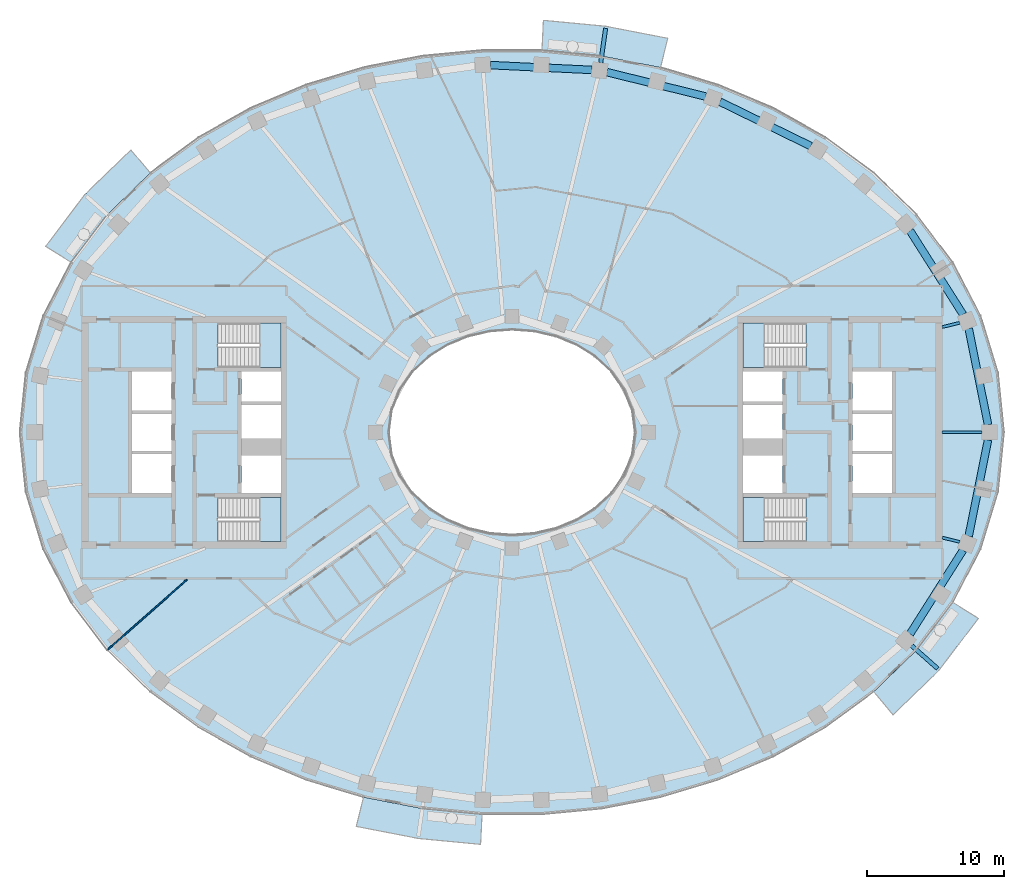
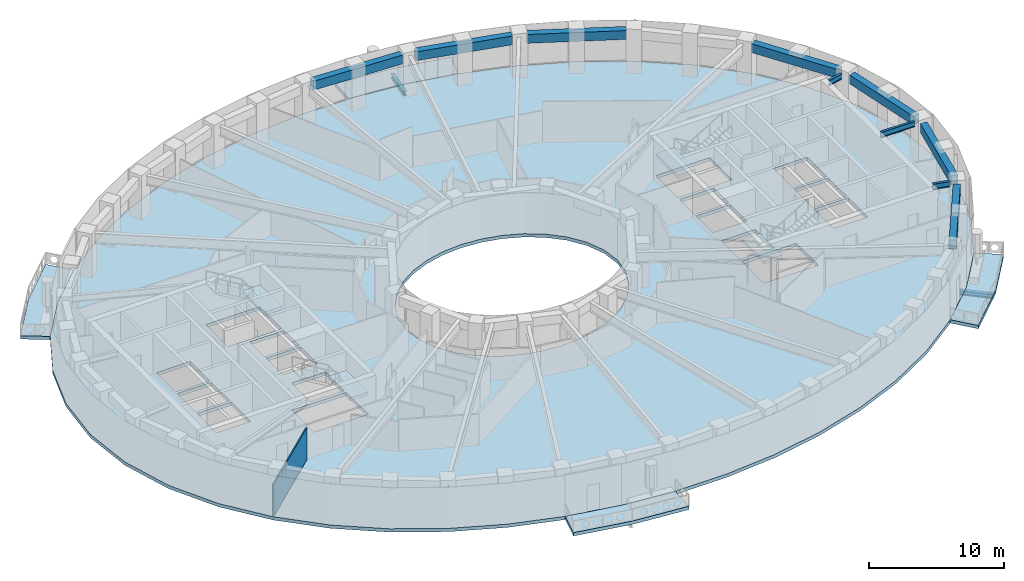
# One storey, part 2 of 16: 12 beams, 9 slabs, 1 wall, 4 elements without a shape of their own.
"""IFC4 building model written with IfcOpenShell, lengths in metres."""

from ifc_helpers import new_model, si_unit, direction, frame, frame_2d, origin, origin_2d, place, context, subcontext, project, spatial, polyline, rectangle, i_section, outline, extrude, material, layer, layer_set, material_profile, profile_set, type_object, element, aggregate, save


model = new_model("IFC4")

# Units and contexts
model_context = context("Model", 3, precision=1e-05, world=origin(), true_north=direction((0.0, 1.0)))
body_context = subcontext(model_context, "Body", "Model", "MODEL_VIEW")
ifc_project = project(units=[si_unit("LENGTHUNIT", "METRE"), si_unit("AREAUNIT", "SQUARE_METRE"), si_unit("VOLUMEUNIT", "CUBIC_METRE"), si_unit("PLANEANGLEUNIT", "RADIAN"), si_unit("MASSUNIT", "GRAM", prefix="KILO")], contexts=[model_context])

# Site, building, storey
site_placement = place(None, origin())
site = spatial("IfcSite", under=ifc_project, at=site_placement, CompositionType="ELEMENT")
building_placement = place(site_placement, origin())
building = spatial("IfcBuilding", under=site, at=building_placement, Name="Noorbagh Ring Tower", CompositionType="ELEMENT")
storey_placement = place(building_placement, frame((0.0, 0.0, 178.0)))
storey = spatial("IfcBuildingStorey", under=building, at=storey_placement, Name="L41", CompositionType="ELEMENT", Elevation=178.0)

# Beams
ifc_material_1 = material(Name="Steel S355", Category="steel")
ifc_material_profile_1 = material_profile(ifc_material_1, i_section(OverallWidth=0.300048828125, OverallDepth=0.39990234375, WebThickness=0.013427734375, FlangeThickness=0.02392578125, FilletRadius=0.027099609375, at=origin_2d()), Name="HEB400")
ifc_profile_set_1 = profile_set([ifc_material_profile_1], Name="Steel S355")
beam_type_1 = type_object("IfcBeamType", Name="STR-BALCONY-BRACKET-HEB400", PredefinedType="BEAM", material=ifc_profile_set_1)
beam_1_placement = place(storey_placement, frame((6.48876953125, 27.0400390625, -0.5), z_axis=(0.143003505054, 0.989722182, 0.0), x_axis=(-0.989722182, 0.143003505054, 0.0)))
element("IfcBeam", 1, at=beam_1_placement, inside=storey, type_object=beam_type_1, Name="Balcony bracket beam BN03", PredefinedType="BEAM", context=body_context, shape_type="SweptSolid", body=[
    extrude(i_section(OverallWidth=0.300048828125, OverallDepth=0.39990234375, WebThickness=0.013427734375, FlangeThickness=0.02392578125, FilletRadius=0.027099609375, at=origin_2d()), origin(), (0.0, 0.0, 1.0), 2.548828125),
])
beam_2_placement = place(storey_placement, frame((29.234619140625, -15.59814453125, -0.5), z_axis=(0.749031222735, -0.662534698992, 0.0), x_axis=(0.662534698992, 0.749031222735, 0.0)))
element("IfcBeam", 2, at=beam_2_placement, inside=storey, type_object=beam_type_1, Name="Balcony bracket beam BS06", PredefinedType="BEAM", context=body_context, shape_type="SweptSolid", body=[
    extrude(i_section(OverallWidth=0.300048828125, OverallDepth=0.39990234375, WebThickness=0.013427734375, FlangeThickness=0.02392578125, FilletRadius=0.027099609375, at=origin_2d()), origin(), (0.0, 0.0, 1.0), 2.554443359375),
])
ifc_material_2 = material(Name="Steel S355", Category="steel")
ifc_material_profile_2 = material_profile(ifc_material_2, i_section(OverallWidth=0.199951171875, OverallDepth=0.5, WebThickness=0.01025390625, FlangeThickness=0.01611328125, FilletRadius=0.02099609375, at=origin_2d()), Name="IPE500")
ifc_profile_set_2 = profile_set([ifc_material_profile_2], Name="Steel S355")
beam_type_2 = type_object("IfcBeamType", Name="STR-RAD-IPE500", PredefinedType="BEAM", material=ifc_profile_set_2)
beam_3_placement = place(storey_placement, frame((34.3896484375, 0.0, 3.449951171875), z_axis=(-1.0, 0.0, 0.0), x_axis=(0.0, -1.0, 0.0)))
element("IfcBeam", 3, at=beam_3_placement, inside=storey, type_object=beam_type_2, Name="L41/bm/RD01", PredefinedType="BEAM", context=body_context, shape_type="SweptSolid", body=[
    extrude(i_section(OverallWidth=0.199951171875, OverallDepth=0.5, WebThickness=0.01025390625, FlangeThickness=0.01611328125, FilletRadius=0.02099609375, at=origin_2d()), origin(), (0.0, 0.0, 1.0), 2.90966796875),
])
for number, where, z_axis, x_axis, name in (
    (4, (32.759765625, 8.015869140625, 3.449951171875), (-0.971351477813, -0.237647441709, 0.0), (0.237647441709, -0.971351477813, 0.0), "L41/bm/RD03"),
    (5, (32.759765625, -8.015869140625, 3.449951171875), (-0.971351477813, 0.237647441709, 0.0), (-0.237647441709, -0.971351477813, 0.0), "L41/bm/RD45"),
):
    element("IfcBeam", number, at=place(storey_placement, frame(where, z_axis=z_axis, x_axis=x_axis)), inside=storey, type_object=beam_type_2, Name=name, PredefinedType="BEAM", context=body_context, shape_type="SweptSolid", body=[
        extrude(i_section(OverallWidth=0.199951171875, OverallDepth=0.5, WebThickness=0.01025390625, FlangeThickness=0.01611328125, FilletRadius=0.02099609375, at=origin_2d()), origin(), (0.0, 0.0, 1.0), 1.317138671875),
    ])
ifc_material_3 = material(Name="Concrete C40/50", Category="concrete")
ifc_material_profile_3 = material_profile(ifc_material_3, rectangle(XDim=0.550048828125, YDim=0.800048828125, at=origin_2d()), Name="RC550x800")
ifc_profile_set_3 = profile_set([ifc_material_profile_3], Name="Concrete C40/50")
beam_type_3 = type_object("IfcBeamType", Name="STR-SB-RC550x800-C40-50", PredefinedType="BEAM", material=ifc_profile_set_3)
beam_4_placement = place(storey_placement, frame((34.8330078125, 0.555419921875, 3.300048828125), z_axis=(-0.197234085058, 0.980356422783, 0.0), x_axis=(-0.980356422783, -0.197234085058, 0.0)))
element("IfcBeam", 6, at=beam_4_placement, inside=storey, type_object=beam_type_3, Name="L41/bm/SP01", PredefinedType="BEAM", context=body_context, shape_type="SweptSolid", body=[
    extrude(rectangle(XDim=0.550048828125, YDim=0.800048828125, at=origin_2d()), origin(), (0.0, 0.0, 1.0), 7.1806640625),
])
beam_5_placement = place(storey_placement, frame((33.00341796875, 8.625732421875, 3.300048828125), z_axis=(-0.535193751586, 0.844729334322, 0.0), x_axis=(-0.844729334322, -0.535193751586, 0.0)))
element("IfcBeam", 7, at=beam_5_placement, inside=storey, type_object=beam_type_3, Name="L41/bm/SP03", PredefinedType="BEAM", context=body_context, shape_type="SweptSolid", body=[
    extrude(rectangle(XDim=0.550048828125, YDim=0.800048828125, at=origin_2d()), origin(), (0.0, 0.0, 1.0), 7.25634765625),
])
beam_6_placement = place(storey_placement, frame((21.85986328125, 20.945556640625, 3.300048828125), z_axis=(-0.898409236546, 0.439159246389, 0.0), x_axis=(-0.439159246389, -0.898409236546, 0.0)))
element("IfcBeam", 8, at=beam_6_placement, inside=storey, type_object=beam_type_3, Name="L41/bm/SP07", PredefinedType="BEAM", context=body_context, shape_type="SweptSolid", body=[
    extrude(rectangle(XDim=0.550048828125, YDim=0.800048828125, at=origin_2d()), origin(), (0.0, 0.0, 1.0), 7.400390625),
])
beam_7_placement = place(storey_placement, frame((14.167724609375, 24.57470703125, 3.300048828125), z_axis=(-0.970828249823, 0.239775956563, 0.0), x_axis=(-0.239775956563, -0.970828249823, 0.0)))
element("IfcBeam", 9, at=beam_7_placement, inside=storey, type_object=beam_type_3, Name="L41/bm/SP09", PredefinedType="BEAM", context=body_context, shape_type="SweptSolid", body=[
    extrude(rectangle(XDim=0.550048828125, YDim=0.800048828125, at=origin_2d()), origin(), (0.0, 0.0, 1.0), 7.433837890625),
])
beam_8_placement = place(storey_placement, frame((5.852294921875, 26.517333984375, 3.300048828125), z_axis=(-0.998867915197, 0.047569822271, 0.0), x_axis=(-0.047569822271, -0.998867915197, 0.0)))
element("IfcBeam", 10, at=beam_8_placement, inside=storey, type_object=beam_type_3, Name="L41/bm/SP11", PredefinedType="BEAM", context=body_context, shape_type="SweptSolid", body=[
    extrude(rectangle(XDim=0.550048828125, YDim=0.800048828125, at=origin_2d()), origin(), (0.0, 0.0, 1.0), 7.447021484375),
])
beam_9_placement = place(storey_placement, frame((29.119873046875, -14.75537109375, 3.300048828125), z_axis=(0.535193751586, 0.844729334322, 0.0), x_axis=(-0.844729334322, 0.535193751586, 0.0)))
element("IfcBeam", 11, at=beam_9_placement, inside=storey, type_object=beam_type_3, Name="L41/bm/SP43", PredefinedType="BEAM", context=body_context, shape_type="SweptSolid", body=[
    extrude(rectangle(XDim=0.550048828125, YDim=0.800048828125, at=origin_2d()), origin(), (0.0, 0.0, 1.0), 7.25634765625),
])
beam_10_placement = place(storey_placement, frame((33.416748046875, -7.594970703125, 3.300048828125), z_axis=(0.197234085058, 0.980356422783, 0.0), x_axis=(-0.980356422783, 0.197234085058, 0.0)))
element("IfcBeam", 12, at=beam_10_placement, inside=storey, type_object=beam_type_3, Name="L41/bm/SP45", PredefinedType="BEAM", context=body_context, shape_type="SweptSolid", body=[
    extrude(rectangle(XDim=0.550048828125, YDim=0.800048828125, at=origin_2d()), origin(), (0.0, 0.0, 1.0), 7.1806640625),
])

# Stair, slab
ifc_material_4 = material(Name="Concrete C40/50", Category="concrete")
stair_type = type_object("IfcStairType", Name="CORE-STAIR", PredefinedType="HALF_TURN_STAIR", material=ifc_material_4)
stair_1_placement = place(storey_placement, origin())
stair_1 = element("IfcStair", 13, at=stair_1_placement, inside=storey, type_object=stair_type, Name="L41 Exit stair ST1", PredefinedType="HALF_TURN_STAIR")
ifc_material_5 = material(Name="Concrete C40/50", Category="concrete")
ifc_layer_1 = layer(ifc_material_5, 0.300048828125)
ifc_layer_set_1 = layer_set([ifc_layer_1], Name="Concrete C40/50")
slab_type_1 = type_object("IfcSlabType", Name="CORE-STAIR-LANDING", PredefinedType="LANDING", material=ifc_layer_set_1)
slab_1_placement = place(storey_placement, frame((0.0, 0.0, 1.699951171875)))
slab_1 = element("IfcSlab", 14, at=slab_1_placement, type_object=slab_type_1, Name="ST1 landing 1", PredefinedType="LANDING", context=body_context, shape_type="SweptSolid", body=[
    extrude(outline(polyline([(-18.449951171875, 4.75), (-16.89990234375, 4.75), (-16.89990234375, 8.0), (-18.449951171875, 8.0), (-18.449951171875, 4.75)])), origin(), (0.0, 0.0, 1.0), 0.300048828125),
])
aggregate(stair_1, [slab_1])

stair_2_placement = place(storey_placement, origin())
stair_2 = element("IfcStair", 15, at=stair_2_placement, inside=storey, type_object=stair_type, Name="L41 Exit stair ST2", PredefinedType="HALF_TURN_STAIR")
slab_2_placement = place(storey_placement, frame((0.0, 0.0, 1.699951171875)))
slab_2 = element("IfcSlab", 16, at=slab_2_placement, type_object=slab_type_1, Name="ST2 landing 1", PredefinedType="LANDING", context=body_context, shape_type="SweptSolid", body=[
    extrude(outline(polyline([(-18.449951171875, -8.0), (-16.89990234375, -8.0), (-16.89990234375, -4.75), (-18.449951171875, -4.75), (-18.449951171875, -8.0)])), origin(), (0.0, 0.0, 1.0), 0.300048828125),
])
aggregate(stair_2, [slab_2])

stair_3_placement = place(storey_placement, origin())
stair_3 = element("IfcStair", 17, at=stair_3_placement, inside=storey, type_object=stair_type, Name="L41 Exit stair ST3", PredefinedType="HALF_TURN_STAIR")
slab_3_placement = place(storey_placement, frame((0.0, 0.0, 1.699951171875)))
slab_3 = element("IfcSlab", 18, at=slab_3_placement, type_object=slab_type_1, Name="ST3 landing 1", PredefinedType="LANDING", context=body_context, shape_type="SweptSolid", body=[
    extrude(outline(polyline([(18.449951171875, 8.0), (16.89990234375, 8.0), (16.89990234375, 4.75), (18.449951171875, 4.75), (18.449951171875, 8.0)])), origin(), (0.0, 0.0, 1.0), 0.300048828125),
])
aggregate(stair_3, [slab_3])

stair_4_placement = place(storey_placement, origin())
stair_4 = element("IfcStair", 19, at=stair_4_placement, inside=storey, type_object=stair_type, Name="L41 Exit stair ST4", PredefinedType="HALF_TURN_STAIR")
slab_4_placement = place(storey_placement, frame((0.0, 0.0, 1.699951171875)))
slab_4 = element("IfcSlab", 20, at=slab_4_placement, type_object=slab_type_1, Name="ST4 landing 1", PredefinedType="LANDING", context=body_context, shape_type="SweptSolid", body=[
    extrude(outline(polyline([(18.449951171875, -4.75), (16.89990234375, -4.75), (16.89990234375, -8.0), (18.449951171875, -8.0), (18.449951171875, -4.75)])), origin(), (0.0, 0.0, 1.0), 0.300048828125),
])
aggregate(stair_4, [slab_4])

# Slabs
ifc_material_6 = material(Name="Concrete C40/50", Category="concrete")
ifc_layer_2 = layer(ifc_material_6, 0.300048828125)
ifc_layer_set_2 = layer_set([ifc_layer_2], Name="Concrete C40/50")
slab_type_2 = type_object("IfcSlabType", Name="ENV-BALCONY DECK 300", PredefinedType="FLOOR", material=ifc_layer_set_2)
slab_5_placement = place(storey_placement, frame((0.0, 0.0, -0.300048828125)))
element("IfcSlab", 21, at=slab_5_placement, inside=storey, type_object=slab_type_2, Name="Tree balcony deck BN03", PredefinedType="FLOOR", context=body_context, shape_type="SweptSolid", body=[
    extrude(outline(polyline([(11.3935546875, 28.832763671875), (6.874755859375, 29.711181640625), (2.2978515625, 30.14794921875), (2.193115234375, 27.947998046875), (6.5595703125, 27.53125), (10.865234375, 26.6943359375), (11.3935546875, 28.832763671875)])), origin(), (0.0, 0.0, 1.0), 0.300048828125),
])
slab_6_placement = place(storey_placement, frame((0.0, 0.0, -0.300048828125)))
element("IfcSlab", 22, at=slab_6_placement, inside=storey, type_object=slab_type_2, Name="Tree balcony deck BN06", PredefinedType="FLOOR", context=body_context, shape_type="SweptSolid", body=[
    extrude(outline(polyline([(-27.888671875, 20.665771484375), (-31.26025390625, 17.389892578125), (-34.120361328125, 13.615966796875), (-32.255126953125, 12.434814453125), (-29.607666015625, 15.92822265625), (-26.463134765625, 18.983154296875), (-27.888671875, 20.665771484375)])), origin(), (0.0, 0.0, 1.0), 0.300048828125),
])
slab_7_placement = place(storey_placement, frame((0.0, 0.0, -0.300048828125)))
element("IfcSlab", 23, at=slab_7_placement, inside=storey, type_object=slab_type_2, Name="Tree balcony deck BS03", PredefinedType="FLOOR", context=body_context, shape_type="SweptSolid", body=[
    extrude(outline(polyline([(-11.3935546875, -28.832763671875), (-6.874755859375, -29.711181640625), (-2.2978515625, -30.14794921875), (-2.193115234375, -27.947998046875), (-6.5595703125, -27.53125), (-10.865234375, -26.6943359375), (-11.3935546875, -28.832763671875)])), origin(), (0.0, 0.0, 1.0), 0.300048828125),
])
slab_8_placement = place(storey_placement, frame((0.0, 0.0, -0.300048828125)))
element("IfcSlab", 24, at=slab_8_placement, inside=storey, type_object=slab_type_2, Name="Tree balcony deck BS06", PredefinedType="FLOOR", context=body_context, shape_type="SweptSolid", body=[
    extrude(outline(polyline([(27.888671875, -20.665771484375), (31.26025390625, -17.389892578125), (34.120361328125, -13.615966796875), (32.255126953125, -12.434814453125), (29.607666015625, -15.92822265625), (26.463134765625, -18.983154296875), (27.888671875, -20.665771484375)])), origin(), (0.0, 0.0, 1.0), 0.300048828125),
])
ifc_material_7 = material(Name="Concrete C40/50", Category="concrete")
ifc_layer_3 = layer(ifc_material_7, 0.300048828125)
ifc_layer_set_3 = layer_set([ifc_layer_3], Name="Concrete C40/50")
slab_type_3 = type_object("IfcSlabType", Name="STR-FLOOR-DECK-300", PredefinedType="FLOOR", material=ifc_layer_set_3)
slab_9_placement = place(storey_placement, frame((0.0, 0.0, -0.300048828125)))
element("IfcSlab", 25, at=slab_9_placement, inside=storey, type_object=slab_type_3, Name="L41/slab/1", PredefinedType="FLOOR", context=body_context, shape_type="SweptSolid", body=[
    extrude(outline(polyline([(36.0, 0.0), (35.56103515625, 4.358642578125), (34.281005859375, 8.548828125), (32.255126953125, 12.434814453125), (29.607666015625, 15.92822265625), (26.463134765625, 18.983154296875), (22.9326171875, 21.583740234375), (19.108154296875, 23.730224609375), (15.0654296875, 25.430419921875), (10.865234375, 26.6943359375), (6.5595703125, 27.53125), (2.193115234375, 27.947998046875), (-2.193115234375, 27.947998046875), (-6.5595703125, 27.53125), (-10.865234375, 26.6943359375), (-15.0654296875, 25.430419921875), (-19.108154296875, 23.730224609375), (-22.9326171875, 21.583740234375), (-26.463134765625, 18.983154296875), (-29.607666015625, 15.92822265625), (-32.255126953125, 12.434814453125), (-34.281005859375, 8.548828125), (-35.56103515625, 4.358642578125), (-36.0, 0.0), (-35.56103515625, -4.358642578125), (-34.281005859375, -8.548828125), (-32.255126953125, -12.434814453125), (-29.607666015625, -15.92822265625), (-26.463134765625, -18.983154296875), (-22.9326171875, -21.583740234375), (-19.108154296875, -23.730224609375), (-15.0654296875, -25.430419921875), (-10.865234375, -26.6943359375), (-6.5595703125, -27.53125), (-2.193115234375, -27.947998046875), (2.193115234375, -27.947998046875), (6.5595703125, -27.53125), (10.865234375, -26.6943359375), (15.0654296875, -25.430419921875), (19.108154296875, -23.730224609375), (22.9326171875, -21.583740234375), (26.463134765625, -18.983154296875), (29.607666015625, -15.92822265625), (32.255126953125, -12.434814453125), (34.281005859375, -8.548828125), (35.56103515625, -4.358642578125), (36.0, 0.0)]), holes=[polyline([(24.89990234375, 4.449951171875), (27.800048828125, 4.449951171875), (27.800048828125, 1.60009765625), (24.89990234375, 1.60009765625), (24.89990234375, 4.449951171875)]), polyline([(24.89990234375, 1.35009765625), (27.800048828125, 1.35009765625), (27.800048828125, -1.35009765625), (24.89990234375, -1.35009765625), (24.89990234375, 1.35009765625)]), polyline([(24.89990234375, -1.60009765625), (27.800048828125, -1.60009765625), (27.800048828125, -4.449951171875), (24.89990234375, -4.449951171875), (24.89990234375, -1.60009765625)]), polyline([(21.529541015625, -8.0), (16.89990234375, -8.0), (16.89990234375, -4.75), (21.529541015625, -4.75), (21.529541015625, -8.0)]), polyline([(16.89990234375, 4.75), (16.89990234375, 8.0), (21.529541015625, 8.0), (21.529541015625, 4.75), (16.89990234375, 4.75)]), polyline([(19.800048828125, 4.449951171875), (19.800048828125, 2.25), (16.89990234375, 2.25), (16.89990234375, 4.449951171875), (19.800048828125, 4.449951171875)]), polyline([(16.89990234375, 2.0), (19.800048828125, 2.0), (19.800048828125, -0.449951171875), (16.89990234375, -0.449951171875), (16.89990234375, 2.0)]), polyline([(16.89990234375, -1.699951171875), (19.800048828125, -1.699951171875), (19.800048828125, -4.449951171875), (16.89990234375, -4.449951171875), (16.89990234375, -1.699951171875)]), polyline([(4.697509765625, -6.3974609375), (3.196533203125, -7.010986328125), (1.6171875, -7.3779296875), (0.0, -7.5), (-1.6171875, -7.3779296875), (-3.196533203125, -7.010986328125), (-4.697509765625, -6.3974609375), (-6.071044921875, -5.53662109375), (-7.2587890625, -4.43408203125), (-8.1904296875, -3.10888671875), (-8.79150390625, -1.605224609375), (-9.0, 0.0), (-8.79150390625, 1.605224609375), (-8.1904296875, 3.10888671875), (-7.2587890625, 4.43408203125), (-6.071044921875, 5.53662109375), (-4.697509765625, 6.3974609375), (-3.196533203125, 7.010986328125), (-1.6171875, 7.3779296875), (0.0, 7.5), (1.6171875, 7.3779296875), (3.196533203125, 7.010986328125), (4.697509765625, 6.3974609375), (6.071044921875, 5.53662109375), (7.2587890625, 4.43408203125), (8.1904296875, 3.10888671875), (8.79150390625, 1.605224609375), (9.0, 0.0), (8.79150390625, -1.605224609375), (8.1904296875, -3.10888671875), (7.2587890625, -4.43408203125), (6.071044921875, -5.53662109375), (4.697509765625, -6.3974609375)]), polyline([(-16.89990234375, 2.25), (-19.800048828125, 2.25), (-19.800048828125, 4.449951171875), (-16.89990234375, 4.449951171875), (-16.89990234375, 2.25)]), polyline([(-16.89990234375, -0.449951171875), (-19.800048828125, -0.449951171875), (-19.800048828125, 2.0), (-16.89990234375, 2.0), (-16.89990234375, -0.449951171875)]), polyline([(-16.89990234375, -4.449951171875), (-19.800048828125, -4.449951171875), (-19.800048828125, -1.699951171875), (-16.89990234375, -1.699951171875), (-16.89990234375, -4.449951171875)]), polyline([(-21.529541015625, 8.0), (-16.89990234375, 8.0), (-16.89990234375, 4.75), (-21.529541015625, 4.75), (-21.529541015625, 8.0)]), polyline([(-21.529541015625, -4.75), (-16.89990234375, -4.75), (-16.89990234375, -8.0), (-21.529541015625, -8.0), (-21.529541015625, -4.75)]), polyline([(-24.89990234375, -4.449951171875), (-27.800048828125, -4.449951171875), (-27.800048828125, -1.60009765625), (-24.89990234375, -1.60009765625), (-24.89990234375, -4.449951171875)]), polyline([(-24.89990234375, 1.60009765625), (-27.800048828125, 1.60009765625), (-27.800048828125, 4.449951171875), (-24.89990234375, 4.449951171875), (-24.89990234375, 1.60009765625)]), polyline([(-24.89990234375, -1.35009765625), (-27.800048828125, -1.35009765625), (-27.800048828125, 1.35009765625), (-24.89990234375, 1.35009765625), (-24.89990234375, -1.35009765625)])]), origin(), (0.0, 0.0, 1.0), 0.300048828125),
])

# Wall
ifc_material_8 = material(Name="Gypsum board on steel studs", Category="steel")
ifc_layer_4 = layer(ifc_material_8, 0.10009765625)
ifc_layer_set_4 = layer_set([ifc_layer_4], Name="Gypsum board on steel studs")
wall_type = type_object("IfcWallType", Name="PARTITION 100 GYPSUM", PredefinedType="PARTITIONING", material=ifc_layer_set_4)
wall_placement = place(storey_placement, frame((-29.569091796875, -15.89501953125, 0.0), z_axis=(0.0, 0.0, 1.0), x_axis=(0.748985701008, 0.662586160198, 0.0)))
element("IfcWall", 26, at=wall_placement, inside=storey, type_object=wall_type, Name="L41/wall/P06", PredefinedType="PARTITIONING", context=body_context, shape_type="SweptSolid", body=[
    extrude(rectangle(XDim=7.72265625, YDim=0.10009765625, at=frame_2d((3.861328125, 0.0))), origin(), (0.0, 0.0, 1.0), 2.89990234375),
])

save(model, "model.ifc")
